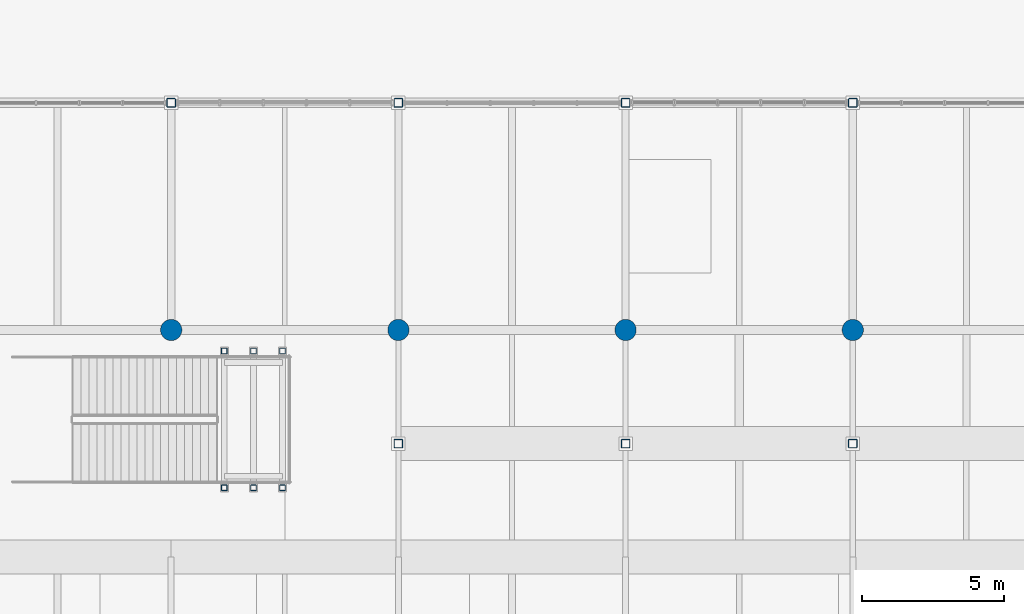
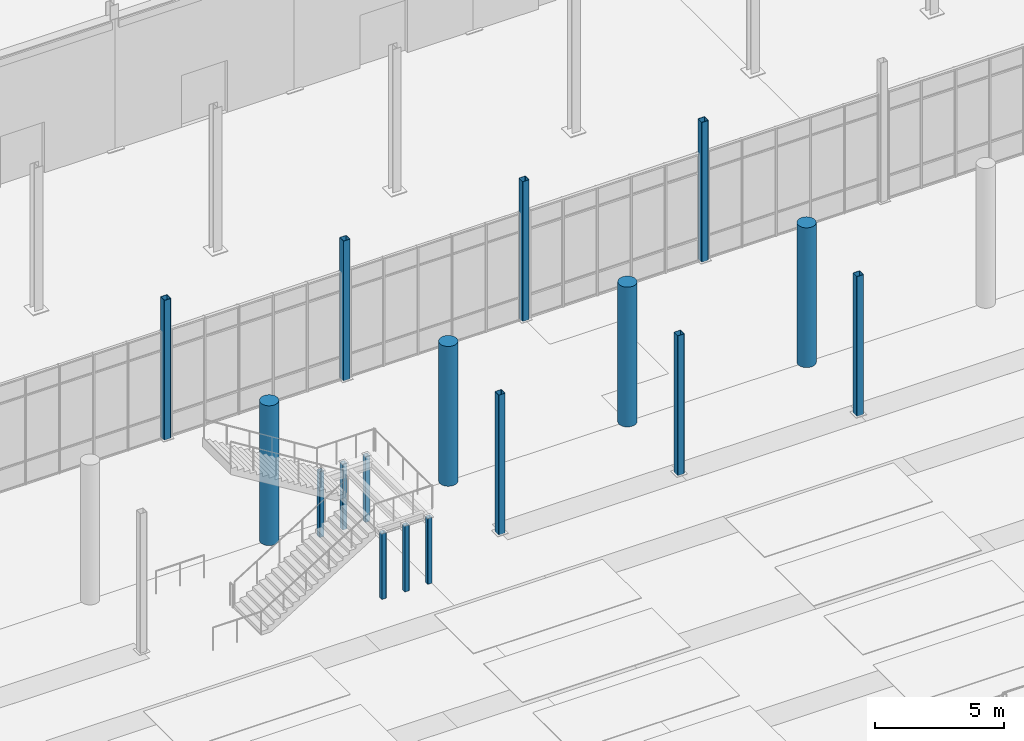
# One storey, part 7 of 140: 17 columns.
"""IFC4 building model written with IfcOpenShell, lengths in metres."""

from ifc_helpers import new_model, si_unit, direction, frame, origin, origin_2d, place, context, subcontext, project, spatial, hollow_rectangle, circle, extrude, material, material_profile, profile_set, type_object, element, save


model = new_model("IFC4")

# Units and contexts
model_context = context("Model", 3, precision=1e-05, world=origin(), true_north=direction((0.0, 1.0)))
body_context = subcontext(model_context, "Body", "Model", "MODEL_VIEW")
ifc_project = project(units=[si_unit("LENGTHUNIT", "METRE"), si_unit("AREAUNIT", "SQUARE_METRE"), si_unit("VOLUMEUNIT", "CUBIC_METRE"), si_unit("PLANEANGLEUNIT", "RADIAN"), si_unit("MASSUNIT", "GRAM", prefix="KILO")], contexts=[model_context])

# Site, building, storey
site_placement = place(None, origin())
site = spatial("IfcSite", under=ifc_project, at=site_placement, CompositionType="ELEMENT")
building_placement = place(site_placement, origin())
building = spatial("IfcBuilding", under=site, at=building_placement, Name="Verrall Gate Interchange", CompositionType="ELEMENT")
storey_placement = place(building_placement, origin())
storey = spatial("IfcBuildingStorey", under=building, at=storey_placement, Name="L01", CompositionType="ELEMENT", Elevation=0.0)

# Columns
ifc_material_1 = material(Name="Concrete CSA A23.1 40 MPa (Class N)", Category="concrete")
ifc_material_profile_1 = material_profile(ifc_material_1, circle(Radius=0.375, at=origin_2d()), Name="RC750D")
ifc_profile_set_1 = profile_set([ifc_material_profile_1], Name="Concrete CSA A23.1 40 MPa (Class N)")
column_type_1 = type_object("IfcColumnType", Name="C-07 Column RC750D", PredefinedType="COLUMN", material=ifc_profile_set_1)
for number, where, z_axis, x_axis, name in (
    (1, (68.0, 48.0, 0.0), (0.0, 0.0, 1.0), (1.0, 0.0, 0.0), "L01 Column COL-L01-0964 (C-07)"),
    (2, (76.0, 48.0, 0.0), (0.0, 0.0, 1.0), (1.0, 0.0, 0.0), "L01 Column COL-L01-1002 (C-07)"),
    (3, (84.0, 48.0, 0.0), (0.0, 0.0, 1.0), (1.0, 0.0, 0.0), "L01 Column COL-L01-1040 (C-07)"),
    (4, (92.0, 48.0, 0.0), (0.0, 0.0, 1.0), (1.0, 0.0, 0.0), "L01 Column COL-L01-1076 (C-07)"),
):
    element("IfcColumn", number, at=place(storey_placement, frame(where, z_axis=z_axis, x_axis=x_axis)), inside=storey, type_object=column_type_1, Name=name, PredefinedType="COLUMN", context=body_context, shape_type="SweptSolid", body=[
        extrude(circle(Radius=0.375, at=origin_2d()), origin(), (0.0, 0.0, 1.0), 6.60009765625),
    ])
ifc_material_2 = material(Name="Structural Steel CSA G40.21 350WT Cat 4", Category="steel")
ifc_material_profile_2 = material_profile(ifc_material_2, hollow_rectangle(XDim=0.304931640625, YDim=0.304931640625, WallThickness=0.0126953125, InnerFilletRadius=0.0126953125, OuterFilletRadius=0.025390625, at=origin_2d()), Name="HSS305x305x13")
ifc_profile_set_2 = profile_set([ifc_material_profile_2], Name="Structural Steel CSA G40.21 350WT Cat 4")
column_type_2 = type_object("IfcColumnType", Name="C-12 Column HSS305x305x13", PredefinedType="COLUMN", material=ifc_profile_set_2)
for number, where, z_axis, x_axis, name in (
    (5, (68.0, 56.0, 0.0), (0.0, 0.0, 1.0), (1.0, 0.0, 0.0), "L01 Column COL-L01-0968 (C-12)"),
    (6, (76.0, 44.0, 0.0), (0.0, 0.0, 1.0), (1.0, 0.0, 0.0), "L01 Column COL-L01-0998 (C-12)"),
    (7, (76.0, 56.0, 0.0), (0.0, 0.0, 1.0), (1.0, 0.0, 0.0), "L01 Column COL-L01-1006 (C-12)"),
    (8, (84.0, 44.0, 0.0), (0.0, 0.0, 1.0), (1.0, 0.0, 0.0), "L01 Column COL-L01-1036 (C-12)"),
    (9, (84.0, 56.0, 0.0), (0.0, 0.0, 1.0), (1.0, 0.0, 0.0), "L01 Column COL-L01-1044 (C-12)"),
    (10, (92.0, 44.0, 0.0), (0.0, 0.0, 1.0), (1.0, 0.0, 0.0), "L01 Column COL-L01-1072 (C-12)"),
    (11, (92.0, 56.0, 0.0), (0.0, 0.0, 1.0), (1.0, 0.0, 0.0), "L01 Column COL-L01-1080 (C-12)"),
):
    element("IfcColumn", number, at=place(storey_placement, frame(where, z_axis=z_axis, x_axis=x_axis)), inside=storey, type_object=column_type_2, Name=name, PredefinedType="COLUMN", context=body_context, shape_type="SweptSolid", body=[
        extrude(hollow_rectangle(XDim=0.304931640625, YDim=0.304931640625, WallThickness=0.0126953125, InnerFilletRadius=0.0126953125, OuterFilletRadius=0.025390625, at=origin_2d()), origin(), (0.0, 0.0, 1.0), 6.60009765625),
    ])
ifc_material_3 = material(Name="Structural Steel CSA G40.21 350W", Category="steel")
ifc_material_profile_3 = material_profile(ifc_material_3, hollow_rectangle(XDim=0.202880859375, YDim=0.202880859375, WallThickness=0.009521484375, InnerFilletRadius=0.009521484375, OuterFilletRadius=0.01904296875, at=origin_2d()), Name="HSS203x203x9.5")
ifc_profile_set_3 = profile_set([ifc_material_profile_3], Name="Structural Steel CSA G40.21 350W")
column_type_3 = type_object("IfcColumnType", Name="C-14 Column HSS203x203x9.5", PredefinedType="COLUMN", material=ifc_profile_set_3)
for number, where, z_axis, x_axis, name in (
    (12, (69.8701171875, 42.43994140625, 0.0), (0.0, 0.0, 1.0), (1.0, 0.0, 0.0), "L01 ST-12 Landing Cradle Column"),
    (13, (69.8701171875, 47.260009765625, 0.0), (0.0, 0.0, 1.0), (1.0, 0.0, 0.0), "L01 ST-12 Landing Cradle Column"),
    (14, (70.89501953125, 42.43994140625, 0.0), (0.0, 0.0, 1.0), (1.0, 0.0, 0.0), "L01 ST-12 Landing Cradle Column"),
    (15, (70.89501953125, 47.260009765625, 0.0), (0.0, 0.0, 1.0), (1.0, 0.0, 0.0), "L01 ST-12 Landing Cradle Column"),
    (16, (71.919921875, 42.43994140625, 0.0), (0.0, 0.0, 1.0), (1.0, 0.0, 0.0), "L01 ST-12 Landing Cradle Column"),
    (17, (71.919921875, 47.260009765625, 0.0), (0.0, 0.0, 1.0), (1.0, 0.0, 0.0), "L01 ST-12 Landing Cradle Column"),
):
    element("IfcColumn", number, at=place(storey_placement, frame(where, z_axis=z_axis, x_axis=x_axis)), inside=storey, type_object=column_type_3, Name=name, PredefinedType="COLUMN", context=body_context, shape_type="SweptSolid", body=[
        extrude(hollow_rectangle(XDim=0.202880859375, YDim=0.202880859375, WallThickness=0.009521484375, InnerFilletRadius=0.009521484375, OuterFilletRadius=0.01904296875, at=origin_2d()), origin(), (0.0, 0.0, 1.0), 3.110107421875),
    ])

save(model, "model.ifc")
